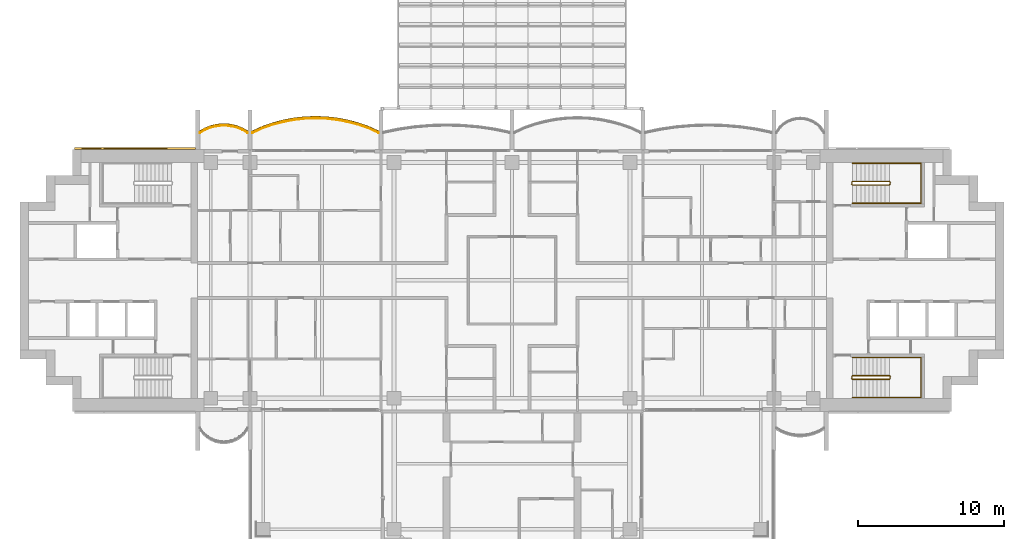
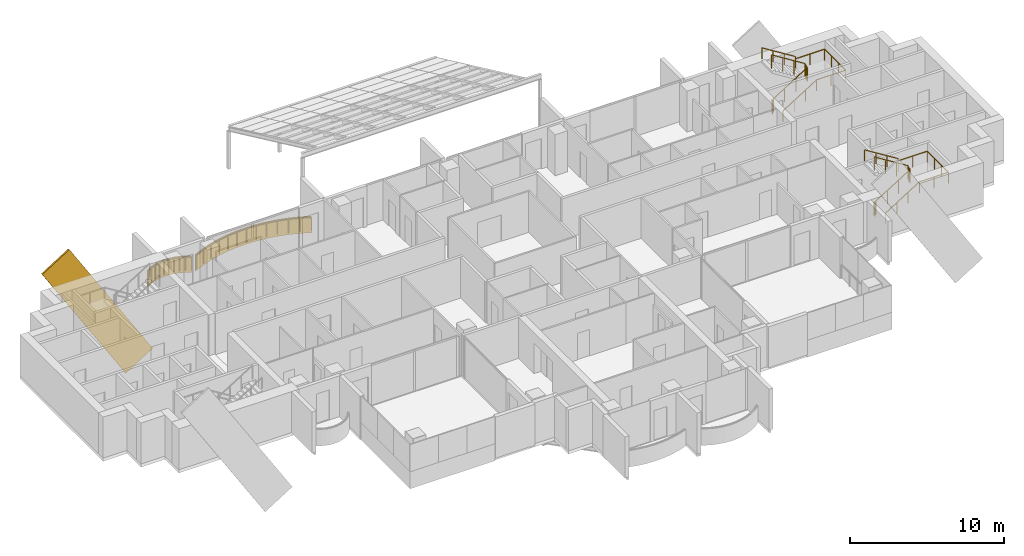
# One storey, part 19 of 20: 6 railings, 3 coverings.
"""IFC4 building model written with IfcOpenShell, lengths in metres."""

import ifcopenshell
import ifcopenshell.guid

model = None  # the IFC model being written
_history = None  # IfcOwnerHistory: only IFC2X3 demands one
_inside = {}  # id of a spatial element -> (the spatial element, [elements in it])
_under = {}  # id of a project, library or spatial element -> (it, [spatial elements below it])
_declared = {}  # id of a project -> (the project, [libraries it declares])
_typed = {}  # id of a type object -> (the type object, [elements of that type])
_made_of = {}  # id of a material, layer set ... -> (it, [elements and type objects made of it])


def new_model(schema):
    """Start an empty IFC model of exactly this schema.

    Asked for "IFC4X3", IfcOpenShell would pick the latest addendum, in which some entities
    have other attributes; the version numbers below select the first issue.
    IFC2X3 requires an IfcOwnerHistory on every rooted entity: one is made here for all.
    """
    global model, _history
    if schema == "IFC4X3":
        model = ifcopenshell.file(schema_version=(4, 3, 0, 0))
    else:
        model = ifcopenshell.file(schema=schema)
    _inside.clear()
    _under.clear()
    _declared.clear()
    _typed.clear()
    _made_of.clear()
    _history = None
    if model.schema == "IFC2X3":
        org = make("IfcOrganization", Name="unknown")
        user = make(
            "IfcPersonAndOrganization",
            ThePerson=make("IfcPerson", FamilyName="unknown"),
            TheOrganization=org,
        )
        app = make(
            "IfcApplication",
            ApplicationDeveloper=org,
            Version="unknown",
            ApplicationFullName="unknown",
            ApplicationIdentifier="unknown",
        )
        _history = make(
            "IfcOwnerHistory",
            OwningUser=user,
            OwningApplication=app,
            ChangeAction="ADDED",
            CreationDate=0,
        )
    return model


def make(cls, **values):
    """One entity of the class cls with the attributes given. An attribute that is None is left unset."""
    return model.create_entity(
        cls, **{name: value for name, value in values.items() if value is not None}
    )


def rooted(cls, **values):
    """An entity with a GlobalId (a new one), such as an element, a storey or a relation."""
    return make(cls, GlobalId=ifcopenshell.guid.new(), OwnerHistory=_history, **values)


def si_unit(unit_type, name, prefix=None):
    """IfcSIUnit, for example si_unit("LENGTHUNIT", "METRE", prefix="MILLI")."""
    return make("IfcSIUnit", UnitType=unit_type, Prefix=prefix, Name=name)


def assignment(units):
    """IfcUnitAssignment: the units of a project."""
    return None if units is None else make("IfcUnitAssignment", Units=units)


def point(xyz):
    """IfcCartesianPoint."""
    return None if xyz is None else make("IfcCartesianPoint", Coordinates=xyz)


def direction(xyz):
    """IfcDirection."""
    return None if xyz is None else make("IfcDirection", DirectionRatios=xyz)


def frame(location, z_axis=None, x_axis=None):
    """IfcAxis2Placement3D, a coordinate frame: its origin and axes. An axis left out is left unset."""
    return make(
        "IfcAxis2Placement3D",
        Location=point(location),
        Axis=direction(z_axis),
        RefDirection=direction(x_axis),
    )


def frame_2d(location, x_axis=None):
    """IfcAxis2Placement2D, a coordinate frame in the plane: its origin and x axis."""
    return make(
        "IfcAxis2Placement2D", Location=point(location), RefDirection=direction(x_axis)
    )


def origin():
    """The frame at (0, 0, 0) with its axes left unset."""
    return frame((0.0, 0.0, 0.0))


def origin_2d():
    """The frame at (0, 0) in the plane with its x axis left unset."""
    return frame_2d((0.0, 0.0))


def place(relative_to, where):
    """IfcLocalPlacement: puts the frame where relative to a parent placement (None: the world)."""
    return make(
        "IfcLocalPlacement", PlacementRelTo=relative_to, RelativePlacement=where
    )


def context(
    kind, dimensions, precision=None, world=None, true_north=None, identifier=None
):
    """IfcGeometricRepresentationContext, for example the 3D "Model" context."""
    return make(
        "IfcGeometricRepresentationContext",
        ContextIdentifier=identifier,
        ContextType=kind,
        CoordinateSpaceDimension=dimensions,
        Precision=precision,
        WorldCoordinateSystem=world,
        TrueNorth=true_north,
    )


def subcontext(parent, identifier, kind, view, scale=None):
    """IfcGeometricRepresentationSubContext, for example "Body" below "Model"."""
    return make(
        "IfcGeometricRepresentationSubContext",
        ContextIdentifier=identifier,
        ContextType=kind,
        ParentContext=parent,
        TargetScale=scale,
        TargetView=view,
    )


def project(units=None, contexts=None):
    """IfcProject with its units and contexts."""
    return rooted(
        "IfcProject",
        Name="project",
        RepresentationContexts=contexts,
        UnitsInContext=assignment(units),
    )


def spatial(cls, under=None, at=None, **own):
    """A site, building, storey or space (cls), placed at a placement, below another one or the project."""
    s = rooted(cls, ObjectPlacement=at, **own)
    if under is not None:
        _under.setdefault(under.id(), (under, []))[1].append(s)
    return s


def polyline(points):
    """IfcPolyline through the points."""
    return make("IfcPolyline", Points=[point(p) for p in points])


def profile(cls, at=None, kind="AREA", **sizes):
    """A parametric profile (cls). Its sizes go by their IFC names, for example OverallWidth=200.0."""
    return make(cls, ProfileType=kind, Position=at, **sizes)


def rectangle(**sizes):
    """IfcRectangleProfileDef."""
    return profile("IfcRectangleProfileDef", **sizes)


def outline(outer, holes=None, kind="AREA"):
    """IfcArbitraryClosedProfileDef: a profile drawn as a closed curve; with holes, ...WithVoids."""
    if holes is None:
        return make("IfcArbitraryClosedProfileDef", ProfileType=kind, OuterCurve=outer)
    return make(
        "IfcArbitraryProfileDefWithVoids",
        ProfileType=kind,
        OuterCurve=outer,
        InnerCurves=holes,
    )


def extrude(swept, where, along, depth):
    """IfcExtrudedAreaSolid: the profile swept, set in the frame where, extruded along a direction by depth."""
    return make(
        "IfcExtrudedAreaSolid",
        SweptArea=swept,
        Position=where,
        ExtrudedDirection=direction(along),
        Depth=depth,
    )


def shape(context_of_items, identifier, shape_type, items):
    """IfcShapeRepresentation: the items that make up one representation, for example the "Body"."""
    return make(
        "IfcShapeRepresentation",
        ContextOfItems=context_of_items,
        RepresentationIdentifier=identifier,
        RepresentationType=shape_type,
        Items=items,
    )


def material(Name=None, Category=None):
    """IfcMaterial."""
    return make("IfcMaterial", Name=Name, Category=Category)


def layer(
    of_material, thickness, ventilated=None, Name=None, Category=None, Priority=None
):
    """IfcMaterialLayer: one layer of a wall or slab, of a material (None: an air gap)."""
    return make(
        "IfcMaterialLayer",
        Material=of_material,
        LayerThickness=thickness,
        IsVentilated=ventilated,
        Name=Name,
        Category=Category,
        Priority=Priority,
    )


def layer_set(layers, Name=None):
    """IfcMaterialLayerSet."""
    return make("IfcMaterialLayerSet", MaterialLayers=layers, LayerSetName=Name)


def material_profile(
    of_material, cross_section, Name=None, Category=None, Priority=None
):
    """IfcMaterialProfile: a cross section and its material."""
    return make(
        "IfcMaterialProfile",
        Name=Name,
        Material=of_material,
        Profile=cross_section,
        Priority=Priority,
        Category=Category,
    )


def profile_set(profiles, Name=None, composite=None):
    """IfcMaterialProfileSet."""
    return make(
        "IfcMaterialProfileSet",
        Name=Name,
        MaterialProfiles=profiles,
        CompositeProfile=composite,
    )


def made_of(thing, what):
    """Note that an element or type object is made of a material, layer set ...; save() writes the relation."""
    if what is not None:
        _made_of.setdefault(what.id(), (what, []))[1].append(thing)
    return thing


def type_object(cls, material=None, **own):
    """A type object (cls), such as IfcWallType, which elements share."""
    return made_of(rooted(cls, **own), material)


def element(
    cls,
    number,
    at=None,
    inside=None,
    cuts=None,
    type_object=None,
    material=None,
    context=None,
    identifier="Body",
    shape_type=None,
    held_by="IfcProductDefinitionShape",
    body=None,
    shapes=None,
    **own,
):
    """One element of the class cls, such as IfcWall. Its Tag is "e" and its number.

    at: its placement. inside: the storey or other place that contains it. cuts: it is an
    opening in that element (IfcRelVoidsElement). A single representation is given by context,
    identifier, shape_type and body (its items); several are given by shapes. held_by: the class
    of the entity that holds the representations. save() writes the other relations.
    """
    e = rooted(cls, Tag="e%d" % number, ObjectPlacement=at, **own)
    if body is not None:
        shapes = [shape(context, identifier, shape_type, body)]
    if shapes is not None:
        e.Representation = make(held_by, Representations=shapes)
    if inside is not None:
        _inside.setdefault(inside.id(), (inside, []))[1].append(e)
    if cuts is not None:
        rooted(
            "IfcRelVoidsElement", RelatingBuildingElement=cuts, RelatedOpeningElement=e
        )
    if type_object is not None:
        _typed.setdefault(type_object.id(), (type_object, []))[1].append(e)
    return made_of(e, material)


def aggregate(whole, parts):
    """IfcRelAggregates: a whole, such as a stair, and the parts it consists of."""
    return rooted("IfcRelAggregates", RelatingObject=whole, RelatedObjects=parts)


def save(model, path):
    """Write the relations noted so far, then the file.

    IfcRelAggregates (storeys below a building ...), IfcRelContainedInSpatialStructure (elements
    in a storey), IfcRelDefinesByType, IfcRelAssociatesMaterial and IfcRelDeclares: one each for
    every whole, place, type object, material and project.
    """
    for whole, parts in _under.values():
        aggregate(whole, parts)
    for where, things in _inside.values():
        rooted(
            "IfcRelContainedInSpatialStructure",
            RelatedElements=things,
            RelatingStructure=where,
        )
    for kind, things in _typed.values():
        rooted("IfcRelDefinesByType", RelatedObjects=things, RelatingType=kind)
    for what, things in _made_of.values():
        rooted("IfcRelAssociatesMaterial", RelatedObjects=things, RelatingMaterial=what)
    for by, libraries in _declared.values():
        rooted("IfcRelDeclares", RelatingContext=by, RelatedDefinitions=libraries)
    model.write(path)


model = new_model("IFC4")

# Units and contexts
model_context = context("Model", 3, precision=1e-05, world=origin(), true_north=direction((0.0, 1.0)))
body_context = subcontext(model_context, "Body", "Model", "MODEL_VIEW")
ifc_project = project(units=[si_unit("LENGTHUNIT", "METRE"), si_unit("AREAUNIT", "SQUARE_METRE"), si_unit("VOLUMEUNIT", "CUBIC_METRE"), si_unit("PLANEANGLEUNIT", "RADIAN"), si_unit("MASSUNIT", "GRAM", prefix="KILO")], contexts=[model_context])

# Site, building, storey
site_placement = place(None, origin())
site = spatial("IfcSite", under=ifc_project, at=site_placement, CompositionType="ELEMENT")
building_placement = place(site_placement, origin())
building = spatial("IfcBuilding", under=site, at=building_placement, Name="Perihelion Cross Residences", CompositionType="ELEMENT")
storey_placement = place(building_placement, frame((0.0, 0.0, 170.10009765625)))
storey = spatial("IfcBuildingStorey", under=building, at=storey_placement, Name="L41", CompositionType="ELEMENT", Elevation=170.10009765625)

# Coverings
ifc_material_1 = material(Name="Bronze anodised aluminium", Category="aluminium")
ifc_layer = layer(ifc_material_1, 0.070068359375)
ifc_layer_set = layer_set([ifc_layer], Name="Balcony fascia 1300")
covering_type_1 = type_object("IfcCoveringType", Name="Balcony fascia 1300", PredefinedType="CLADDING", material=ifc_layer_set)
covering_1_placement = place(storey_placement, frame((0.0, 0.0, -0.2001953125)))
element("IfcCovering", 1, at=covering_1_placement, inside=storey, type_object=covering_type_1, Name="Fascia BF1 L41 west side north bay 1", PredefinedType="CLADDING", context=body_context, shape_type="SweptSolid", body=[
    extrude(outline(polyline([(-9.849365234375, 10.582275390625), (-10.57958984375, 10.83544921875), (-11.309814453125, 11.028076171875), (-12.039794921875, 11.1630859375), (-12.77001953125, 11.243408203125), (-13.5, 11.27001953125), (-14.22998046875, 11.243408203125), (-14.960205078125, 11.1630859375), (-15.690185546875, 11.028076171875), (-16.42041015625, 10.83544921875), (-17.150634765625, 10.582275390625), (-17.85009765625, 10.2763671875), (-17.85009765625, 10.199951171875), (-17.125, 10.51708984375), (-16.39990234375, 10.7685546875), (-15.675048828125, 10.959716796875), (-14.949951171875, 11.093994140625), (-14.22509765625, 11.173583984375), (-13.5, 11.199951171875), (-12.77490234375, 11.173583984375), (-12.050048828125, 11.093994140625), (-11.324951171875, 10.959716796875), (-10.60009765625, 10.7685546875), (-9.875, 10.51708984375), (-9.14990234375, 10.199951171875), (-9.14990234375, 10.2763671875), (-9.849365234375, 10.582275390625)])), origin(), (0.0, 0.0, 1.0), 1.300048828125),
])
covering_2_placement = place(storey_placement, frame((0.0, 0.0, -0.2001953125)))
element("IfcCovering", 2, at=covering_2_placement, inside=storey, type_object=covering_type_1, Name="Fascia BF1 L41 west side north bay 2", PredefinedType="CLADDING", context=body_context, shape_type="SweptSolid", body=[
    extrude(outline(polyline([(-18.486328125, 10.4716796875), (-18.861572265625, 10.62158203125), (-19.237060546875, 10.717529296875), (-19.6123046875, 10.76416015625), (-19.987548828125, 10.76416015625), (-20.363037109375, 10.717529296875), (-20.73828125, 10.62158203125), (-21.11376953125, 10.4716796875), (-21.449951171875, 10.280517578125), (-21.449951171875, 10.199951171875), (-21.083251953125, 10.40869140625), (-20.716552734375, 10.55517578125), (-20.35009765625, 10.648681640625), (-19.9833984375, 10.6943359375), (-19.61669921875, 10.6943359375), (-19.25, 10.648681640625), (-18.88330078125, 10.55517578125), (-18.5166015625, 10.40869140625), (-18.14990234375, 10.199951171875), (-18.14990234375, 10.280517578125), (-18.486328125, 10.4716796875)])), origin(), (0.0, 0.0, 1.0), 1.300048828125),
])

# Railings
ifc_material_2 = material(Name="Bronze anodised aluminium", Category="aluminium")
railing_type_1 = type_object("IfcRailingType", Name="Balcony guard 1100", PredefinedType="GUARDRAIL", material=ifc_material_2)
railing_1_placement = place(storey_placement, frame((-9.175048828125, 10.139892578125, 0.0)))
element("IfcRailing", 3, at=railing_1_placement, inside=storey, type_object=railing_type_1, Name="Guard GU1 L41 west side north bay 1 balcony", PredefinedType="GUARDRAIL", context=body_context, shape_type="SweptSolid", body=[
    extrude(rectangle(XDim=0.048095703125, YDim=0.048095703125, at=origin_2d()), frame((0.0, 0.0, 1.076171875), z_axis=(-0.910866309087, 0.412701547089, 0.0), x_axis=(-0.412701547089, -0.910866309087, 0.0)), (0.0, 0.0, 1.0), 0.7685546875),
    extrude(rectangle(XDim=0.048095703125, YDim=0.048095703125, at=origin_2d()), frame((-0.699951171875, 0.317138671875, 1.076171875), z_axis=(-0.944796812452, 0.327656807012, 0.0), x_axis=(-0.327656807012, -0.944796812452, 0.0)), (0.0, 0.0, 1.0), 0.767578125),
    extrude(rectangle(XDim=0.048095703125, YDim=0.048095703125, at=origin_2d()), frame((-1.425048828125, 0.568603515625, 1.076171875), z_axis=(-0.966939404945, 0.255006249266, 0.0), x_axis=(-0.255006249266, -0.966939404945, 0.0)), (0.0, 0.0, 1.0), 0.749755859375),
    extrude(rectangle(XDim=0.048095703125, YDim=0.048095703125, at=origin_2d()), frame((-2.14990234375, 0.759765625, 1.076171875), z_axis=(-0.983282004984, 0.182089260182, 0.0), x_axis=(-0.182089260182, -0.983282004984, 0.0)), (0.0, 0.0, 1.0), 0.7373046875),
    extrude(rectangle(XDim=0.048095703125, YDim=0.048095703125, at=origin_2d()), frame((-2.875, 0.89404296875, 1.076171875), z_axis=(-0.994025805622, 0.109145305703, 0.0), x_axis=(-0.109145305703, -0.994025805622, 0.0)), (0.0, 0.0, 1.0), 0.729248046875),
    extrude(rectangle(XDim=0.048095703125, YDim=0.048095703125, at=origin_2d()), frame((-3.599853515625, 0.9736328125, 1.076171875), z_axis=(-0.999339497946, 0.036339618107, 0.0), x_axis=(-0.036339618107, -0.999339497946, 0.0)), (0.0, 0.0, 1.0), 0.7255859375),
    extrude(rectangle(XDim=0.048095703125, YDim=0.048095703125, at=origin_2d()), frame((-4.324951171875, 1.0, 1.076171875), z_axis=(-0.999339497946, -0.036339618107, 0.0), x_axis=(0.036339618107, -0.999339497946, 0.0)), (0.0, 0.0, 1.0), 0.7255859375),
    extrude(rectangle(XDim=0.048095703125, YDim=0.048095703125, at=origin_2d()), frame((-5.050048828125, 0.9736328125, 1.076171875), z_axis=(-0.994025805622, -0.109145305703, 0.0), x_axis=(0.109145305703, -0.994025805622, 0.0)), (0.0, 0.0, 1.0), 0.729248046875),
    extrude(rectangle(XDim=0.048095703125, YDim=0.048095703125, at=origin_2d()), frame((-5.77490234375, 0.89404296875, 1.076171875), z_axis=(-0.983282004984, -0.182089260182, 0.0), x_axis=(0.182089260182, -0.983282004984, 0.0)), (0.0, 0.0, 1.0), 0.7373046875),
    extrude(rectangle(XDim=0.048095703125, YDim=0.048095703125, at=origin_2d()), frame((-6.5, 0.759765625, 1.076171875), z_axis=(-0.966939404945, -0.255006249266, 0.0), x_axis=(0.255006249266, -0.966939404945, 0.0)), (0.0, 0.0, 1.0), 0.749755859375),
    extrude(rectangle(XDim=0.048095703125, YDim=0.048095703125, at=origin_2d()), frame((-7.224853515625, 0.568603515625, 1.076171875), z_axis=(-0.944796812452, -0.327656807012, 0.0), x_axis=(0.327656807012, -0.944796812452, 0.0)), (0.0, 0.0, 1.0), 0.767578125),
    extrude(rectangle(XDim=0.048095703125, YDim=0.048095703125, at=origin_2d()), frame((-7.949951171875, 0.317138671875, 1.076171875), z_axis=(-0.910866309087, -0.412701547089, 0.0), x_axis=(0.412701547089, -0.910866309087, 0.0)), (0.0, 0.0, 1.0), 0.7685546875),
    extrude(rectangle(XDim=0.0419921875, YDim=0.0419921875, at=origin_2d()), origin(), (0.0, 0.0, 1.0), 1.052001953125),
    extrude(rectangle(XDim=0.0419921875, YDim=0.0419921875, at=origin_2d()), frame((-0.699951171875, 0.317138671875, 0.0)), (0.0, 0.0, 1.0), 1.052001953125),
    extrude(rectangle(XDim=0.0419921875, YDim=0.0419921875, at=origin_2d()), frame((-1.425048828125, 0.568603515625, 0.0)), (0.0, 0.0, 1.0), 1.052001953125),
    extrude(rectangle(XDim=0.0419921875, YDim=0.0419921875, at=origin_2d()), frame((-2.14990234375, 0.759765625, 0.0)), (0.0, 0.0, 1.0), 1.052001953125),
    extrude(rectangle(XDim=0.0419921875, YDim=0.0419921875, at=origin_2d()), frame((-2.875, 0.89404296875, 0.0)), (0.0, 0.0, 1.0), 1.052001953125),
    extrude(rectangle(XDim=0.0419921875, YDim=0.0419921875, at=origin_2d()), frame((-3.599853515625, 0.9736328125, 0.0)), (0.0, 0.0, 1.0), 1.052001953125),
    extrude(rectangle(XDim=0.0419921875, YDim=0.0419921875, at=origin_2d()), frame((-4.324951171875, 1.0, 0.0)), (0.0, 0.0, 1.0), 1.052001953125),
    extrude(rectangle(XDim=0.0419921875, YDim=0.0419921875, at=origin_2d()), frame((-5.050048828125, 0.9736328125, 0.0)), (0.0, 0.0, 1.0), 1.052001953125),
    extrude(rectangle(XDim=0.0419921875, YDim=0.0419921875, at=origin_2d()), frame((-5.77490234375, 0.89404296875, 0.0)), (0.0, 0.0, 1.0), 1.052001953125),
    extrude(rectangle(XDim=0.0419921875, YDim=0.0419921875, at=origin_2d()), frame((-6.5, 0.759765625, 0.0)), (0.0, 0.0, 1.0), 1.052001953125),
    extrude(rectangle(XDim=0.0419921875, YDim=0.0419921875, at=origin_2d()), frame((-7.224853515625, 0.568603515625, 0.0)), (0.0, 0.0, 1.0), 1.052001953125),
    extrude(rectangle(XDim=0.0419921875, YDim=0.0419921875, at=origin_2d()), frame((-7.949951171875, 0.317138671875, 0.0)), (0.0, 0.0, 1.0), 1.052001953125),
    extrude(rectangle(XDim=0.0419921875, YDim=0.0419921875, at=origin_2d()), frame((-8.64990234375, 0.0, 0.0)), (0.0, 0.0, 1.0), 1.052001953125),
])
railing_2_placement = place(storey_placement, frame((-18.175048828125, 10.139892578125, 0.0)))
element("IfcRailing", 4, at=railing_2_placement, inside=storey, type_object=railing_type_1, Name="Guard GU1 L41 west side north bay 2 balcony", PredefinedType="GUARDRAIL", context=body_context, shape_type="SweptSolid", body=[
    extrude(rectangle(XDim=0.048095703125, YDim=0.048095703125, at=origin_2d()), frame((0.0, 0.0, 1.076171875), z_axis=(-0.853266756821, 0.52147467983, 0.0), x_axis=(-0.52147467983, -0.853266756821, 0.0)), (0.0, 0.0, 1.0), 0.400390625),
    extrude(rectangle(XDim=0.048095703125, YDim=0.048095703125, at=origin_2d()), frame((-0.341552734375, 0.208740234375, 1.076171875), z_axis=(-0.928647151248, 0.37096424151, 0.0), x_axis=(-0.37096424151, -0.928647151248, 0.0)), (0.0, 0.0, 1.0), 0.394775390625),
    extrude(rectangle(XDim=0.048095703125, YDim=0.048095703125, at=origin_2d()), frame((-0.708251953125, 0.355224609375, 1.076171875), z_axis=(-0.968993337782, 0.247086849781, 0.0), x_axis=(-0.247086849781, -0.968993337782, 0.0)), (0.0, 0.0, 1.0), 0.37841796875),
    extrude(rectangle(XDim=0.048095703125, YDim=0.048095703125, at=origin_2d()), frame((-1.074951171875, 0.44873046875, 1.076171875), z_axis=(-0.992338742457, 0.123546834114, 0.0), x_axis=(-0.123546834114, -0.992338742457, 0.0)), (0.0, 0.0, 1.0), 0.36962890625),
    extrude(rectangle(XDim=0.048095703125, YDim=0.048095703125, at=origin_2d()), frame((-1.441650390625, 0.494384765625, 1.076171875), z_axis=(-1.0, 0.0, 0.0), x_axis=(0.0, -1.0, 0.0)), (0.0, 0.0, 1.0), 0.36669921875),
    extrude(rectangle(XDim=0.048095703125, YDim=0.048095703125, at=origin_2d()), frame((-1.808349609375, 0.494384765625, 1.076171875), z_axis=(-0.992338742457, -0.123546834114, 0.0), x_axis=(0.123546834114, -0.992338742457, 0.0)), (0.0, 0.0, 1.0), 0.36962890625),
    extrude(rectangle(XDim=0.048095703125, YDim=0.048095703125, at=origin_2d()), frame((-2.175048828125, 0.44873046875, 1.076171875), z_axis=(-0.968953914071, -0.247241405123, 0.0), x_axis=(0.247241405123, -0.968953914071, 0.0)), (0.0, 0.0, 1.0), 0.378173828125),
    extrude(rectangle(XDim=0.048095703125, YDim=0.048095703125, at=origin_2d()), frame((-2.54150390625, 0.355224609375, 1.076171875), z_axis=(-0.928647151248, -0.37096424151, 0.0), x_axis=(0.37096424151, -0.928647151248, 0.0)), (0.0, 0.0, 1.0), 0.394775390625),
    extrude(rectangle(XDim=0.048095703125, YDim=0.048095703125, at=origin_2d()), frame((-2.908203125, 0.208740234375, 1.076171875), z_axis=(-0.853432484338, -0.521203410078, 0.0), x_axis=(0.521203410078, -0.853432484338, 0.0)), (0.0, 0.0, 1.0), 0.400390625),
    extrude(rectangle(XDim=0.0419921875, YDim=0.0419921875, at=origin_2d()), origin(), (0.0, 0.0, 1.0), 1.052001953125),
    extrude(rectangle(XDim=0.0419921875, YDim=0.0419921875, at=origin_2d()), frame((-0.341552734375, 0.208740234375, 0.0)), (0.0, 0.0, 1.0), 1.052001953125),
    extrude(rectangle(XDim=0.0419921875, YDim=0.0419921875, at=origin_2d()), frame((-0.708251953125, 0.355224609375, 0.0)), (0.0, 0.0, 1.0), 1.052001953125),
    extrude(rectangle(XDim=0.0419921875, YDim=0.0419921875, at=origin_2d()), frame((-1.074951171875, 0.44873046875, 0.0)), (0.0, 0.0, 1.0), 1.052001953125),
    extrude(rectangle(XDim=0.0419921875, YDim=0.0419921875, at=origin_2d()), frame((-1.441650390625, 0.494384765625, 0.0)), (0.0, 0.0, 1.0), 1.052001953125),
    extrude(rectangle(XDim=0.0419921875, YDim=0.0419921875, at=origin_2d()), frame((-1.808349609375, 0.494384765625, 0.0)), (0.0, 0.0, 1.0), 1.052001953125),
    extrude(rectangle(XDim=0.0419921875, YDim=0.0419921875, at=origin_2d()), frame((-2.175048828125, 0.44873046875, 0.0)), (0.0, 0.0, 1.0), 1.052001953125),
    extrude(rectangle(XDim=0.0419921875, YDim=0.0419921875, at=origin_2d()), frame((-2.54150390625, 0.355224609375, 0.0)), (0.0, 0.0, 1.0), 1.052001953125),
    extrude(rectangle(XDim=0.0419921875, YDim=0.0419921875, at=origin_2d()), frame((-2.908203125, 0.208740234375, 0.0)), (0.0, 0.0, 1.0), 1.052001953125),
    extrude(rectangle(XDim=0.0419921875, YDim=0.0419921875, at=origin_2d()), frame((-3.25, 0.0, 0.0)), (0.0, 0.0, 1.0), 1.052001953125),
])

# Covering
ifc_material_3 = material(Name="Bronze anodised aluminium", Category="aluminium")
ifc_material_profile = material_profile(ifc_material_3, rectangle(XDim=0.125, YDim=2.39990234375, at=origin_2d()), Name="Bronze cladding band 2400")
ifc_profile_set = profile_set([ifc_material_profile], Name="Bronze anodised aluminium")
covering_type_2 = type_object("IfcCoveringType", Name="Bronze cladding band 2400", PredefinedType="CLADDING", material=ifc_profile_set)
covering_3_placement = place(storey_placement, frame((-22.767578125, 9.0625, -4.863525390625), z_axis=(-0.529915403603, 0.0, 0.848050508534), x_axis=(0.0, -1.0, 0.0)))
element("IfcCovering", 5, at=covering_3_placement, inside=storey, type_object=covering_type_2, Name="Core cladding band, west core", PredefinedType="CLADDING", context=body_context, shape_type="SweptSolid", body=[
    extrude(rectangle(XDim=0.125, YDim=2.39990234375, at=origin_2d()), origin(), (0.0, 0.0, 1.0), 11.822021484375),
])

# Railings
ifc_material_4 = material(Name="Stainless steel", Category="steel")
railing_type_2 = type_object("IfcRailingType", Name="Stair guard 1100", PredefinedType="GUARDRAIL", material=ifc_material_4)
railing_3_placement = place(storey_placement, frame((23.35009765625, 6.75, 0.0)))
element("IfcRailing", 6, at=railing_3_placement, inside=storey, type_object=railing_type_2, Name="L41 ST-E1 stair guard 1", PredefinedType="GUARDRAIL", context=body_context, shape_type="SweptSolid", body=[
    extrude(rectangle(XDim=0.048095703125, YDim=0.048095703125, at=origin_2d()), frame((0.0, 0.0, 1.076171875), z_axis=(0.0, -1.0, 0.0), x_axis=(1.0, 0.0, 0.0)), (0.0, 0.0, 1.0), 0.14990234375),
    extrude(rectangle(XDim=0.048095703125, YDim=0.048095703125, at=origin_2d()), frame((0.0, -0.14990234375, 1.076171875), z_axis=(0.264179342666, -0.265474339444, 0.927217692888), x_axis=(0.708833529934, 0.705375805398, 0.0)), (0.0, 0.0, 1.0), 0.1884765625),
    extrude(rectangle(XDim=0.048095703125, YDim=0.048095703125, at=origin_2d()), frame((0.0498046875, -0.199951171875, 1.2509765625), z_axis=(0.847970611238, 0.0, 0.530043245855), x_axis=(0.0, 1.0, 0.0)), (0.0, 0.0, 1.0), 2.971923828125),
    extrude(rectangle(XDim=0.048095703125, YDim=0.048095703125, at=origin_2d()), frame((2.56982421875, -0.199951171875, 2.826171875), z_axis=(0.707106781187, 0.707106781187, 0.0), x_axis=(-0.707106781187, 0.707106781187, 0.0)), (0.0, 0.0, 1.0), 0.07080078125),
    extrude(rectangle(XDim=0.048095703125, YDim=0.048095703125, at=origin_2d()), frame((2.619873046875, -0.14990234375, 2.826171875), z_axis=(0.0, 1.0, 0.0), x_axis=(-1.0, 0.0, 0.0)), (0.0, 0.0, 1.0), 0.14990234375),
    extrude(rectangle(XDim=0.048095703125, YDim=0.048095703125, at=origin_2d()), frame((2.619873046875, 0.0, 2.826171875), z_axis=(-0.265383341853, 0.265383341853, 0.926899867156), x_axis=(-0.707106781187, -0.707106781187, 0.0)), (0.0, 0.0, 1.0), 0.1884765625),
    extrude(rectangle(XDim=0.048095703125, YDim=0.048095703125, at=origin_2d()), frame((2.56982421875, 0.050048828125, 3.0009765625), z_axis=(-0.847970611238, 0.0, 0.530043245855), x_axis=(0.0, -1.0, 0.0)), (0.0, 0.0, 1.0), 2.971923828125),
    extrude(rectangle(XDim=0.0419921875, YDim=0.0419921875, at=origin_2d()), origin(), (0.0, 0.0, 1.0), 1.052001953125),
    extrude(rectangle(XDim=0.0419921875, YDim=0.0419921875, at=origin_2d()), frame((0.0, -0.14990234375, 0.0)), (0.0, 0.0, 1.0), 1.052001953125),
    extrude(rectangle(XDim=0.0419921875, YDim=0.0419921875, at=origin_2d()), frame((0.0498046875, -0.199951171875, 0.1748046875)), (0.0, 0.0, 1.0), 1.052001953125),
    extrude(rectangle(XDim=0.0419921875, YDim=0.0419921875, at=origin_2d()), frame((0.889892578125, -0.199951171875, 0.699951171875)), (0.0, 0.0, 1.0), 1.052001953125),
    extrude(rectangle(XDim=0.0419921875, YDim=0.0419921875, at=origin_2d()), frame((1.729736328125, -0.199951171875, 1.224853515625)), (0.0, 0.0, 1.0), 1.052001953125),
    extrude(rectangle(XDim=0.0419921875, YDim=0.0419921875, at=origin_2d()), frame((2.56982421875, -0.199951171875, 1.75)), (0.0, 0.0, 1.0), 1.052001953125),
    extrude(rectangle(XDim=0.0419921875, YDim=0.0419921875, at=origin_2d()), frame((2.619873046875, -0.14990234375, 1.75)), (0.0, 0.0, 1.0), 1.052001953125),
    extrude(rectangle(XDim=0.0419921875, YDim=0.0419921875, at=origin_2d()), frame((2.619873046875, 0.0, 1.75)), (0.0, 0.0, 1.0), 1.052001953125),
    extrude(rectangle(XDim=0.0419921875, YDim=0.0419921875, at=origin_2d()), frame((2.56982421875, 0.050048828125, 1.9248046875)), (0.0, 0.0, 1.0), 1.052001953125),
    extrude(rectangle(XDim=0.0419921875, YDim=0.0419921875, at=origin_2d()), frame((1.729736328125, 0.050048828125, 2.449951171875)), (0.0, 0.0, 1.0), 1.052001953125),
    extrude(rectangle(XDim=0.0419921875, YDim=0.0419921875, at=origin_2d()), frame((0.889892578125, 0.050048828125, 2.974853515625)), (0.0, 0.0, 1.0), 1.052001953125),
    extrude(rectangle(XDim=0.0419921875, YDim=0.0419921875, at=origin_2d()), frame((0.0498046875, 0.050048828125, 3.5)), (0.0, 0.0, 1.0), 1.052001953125),
])
railing_4_placement = place(storey_placement, frame((23.35009765625, -6.60009765625, 0.0)))
element("IfcRailing", 7, at=railing_4_placement, inside=storey, type_object=railing_type_2, Name="L41 ST-E2 stair guard 1", PredefinedType="GUARDRAIL", context=body_context, shape_type="SweptSolid", body=[
    extrude(rectangle(XDim=0.048095703125, YDim=0.048095703125, at=origin_2d()), frame((0.0, 0.0, 1.076171875), z_axis=(0.0, -1.0, 0.0), x_axis=(1.0, 0.0, 0.0)), (0.0, 0.0, 1.0), 0.14990234375),
    extrude(rectangle(XDim=0.048095703125, YDim=0.048095703125, at=origin_2d()), frame((0.0, -0.14990234375, 1.076171875), z_axis=(0.264179342666, -0.265474339444, 0.927217692888), x_axis=(0.708833529934, 0.705375805398, 0.0)), (0.0, 0.0, 1.0), 0.1884765625),
    extrude(rectangle(XDim=0.048095703125, YDim=0.048095703125, at=origin_2d()), frame((0.0498046875, -0.199951171875, 1.2509765625), z_axis=(0.847970611238, 0.0, 0.530043245855), x_axis=(0.0, 1.0, 0.0)), (0.0, 0.0, 1.0), 2.971923828125),
    extrude(rectangle(XDim=0.048095703125, YDim=0.048095703125, at=origin_2d()), frame((2.56982421875, -0.199951171875, 2.826171875), z_axis=(0.707106781187, 0.707106781187, 0.0), x_axis=(-0.707106781187, 0.707106781187, 0.0)), (0.0, 0.0, 1.0), 0.07080078125),
    extrude(rectangle(XDim=0.048095703125, YDim=0.048095703125, at=origin_2d()), frame((2.619873046875, -0.14990234375, 2.826171875), z_axis=(0.0, 1.0, 0.0), x_axis=(-1.0, 0.0, 0.0)), (0.0, 0.0, 1.0), 0.14990234375),
    extrude(rectangle(XDim=0.048095703125, YDim=0.048095703125, at=origin_2d()), frame((2.619873046875, 0.0, 2.826171875), z_axis=(-0.265383341853, 0.265383341853, 0.926899867156), x_axis=(-0.707106781187, -0.707106781187, 0.0)), (0.0, 0.0, 1.0), 0.1884765625),
    extrude(rectangle(XDim=0.048095703125, YDim=0.048095703125, at=origin_2d()), frame((2.56982421875, 0.050048828125, 3.0009765625), z_axis=(-0.847970611238, 0.0, 0.530043245855), x_axis=(0.0, -1.0, 0.0)), (0.0, 0.0, 1.0), 2.971923828125),
    extrude(rectangle(XDim=0.0419921875, YDim=0.0419921875, at=origin_2d()), origin(), (0.0, 0.0, 1.0), 1.052001953125),
    extrude(rectangle(XDim=0.0419921875, YDim=0.0419921875, at=origin_2d()), frame((0.0, -0.14990234375, 0.0)), (0.0, 0.0, 1.0), 1.052001953125),
    extrude(rectangle(XDim=0.0419921875, YDim=0.0419921875, at=origin_2d()), frame((0.0498046875, -0.199951171875, 0.1748046875)), (0.0, 0.0, 1.0), 1.052001953125),
    extrude(rectangle(XDim=0.0419921875, YDim=0.0419921875, at=origin_2d()), frame((0.889892578125, -0.199951171875, 0.699951171875)), (0.0, 0.0, 1.0), 1.052001953125),
    extrude(rectangle(XDim=0.0419921875, YDim=0.0419921875, at=origin_2d()), frame((1.729736328125, -0.199951171875, 1.224853515625)), (0.0, 0.0, 1.0), 1.052001953125),
    extrude(rectangle(XDim=0.0419921875, YDim=0.0419921875, at=origin_2d()), frame((2.56982421875, -0.199951171875, 1.75)), (0.0, 0.0, 1.0), 1.052001953125),
    extrude(rectangle(XDim=0.0419921875, YDim=0.0419921875, at=origin_2d()), frame((2.619873046875, -0.14990234375, 1.75)), (0.0, 0.0, 1.0), 1.052001953125),
    extrude(rectangle(XDim=0.0419921875, YDim=0.0419921875, at=origin_2d()), frame((2.619873046875, 0.0, 1.75)), (0.0, 0.0, 1.0), 1.052001953125),
    extrude(rectangle(XDim=0.0419921875, YDim=0.0419921875, at=origin_2d()), frame((2.56982421875, 0.050048828125, 1.9248046875)), (0.0, 0.0, 1.0), 1.052001953125),
    extrude(rectangle(XDim=0.0419921875, YDim=0.0419921875, at=origin_2d()), frame((1.729736328125, 0.050048828125, 2.449951171875)), (0.0, 0.0, 1.0), 1.052001953125),
    extrude(rectangle(XDim=0.0419921875, YDim=0.0419921875, at=origin_2d()), frame((0.889892578125, 0.050048828125, 2.974853515625)), (0.0, 0.0, 1.0), 1.052001953125),
    extrude(rectangle(XDim=0.0419921875, YDim=0.0419921875, at=origin_2d()), frame((0.0498046875, 0.050048828125, 3.5)), (0.0, 0.0, 1.0), 1.052001953125),
])
ifc_material_5 = material(Name="Stainless steel", Category="steel")
railing_type_3 = type_object("IfcRailingType", Name="Stair handrail 900", PredefinedType="HANDRAIL", material=ifc_material_5)
railing_5_placement = place(storey_placement, frame((23.39990234375, 5.300048828125, 0.1748046875)))
element("IfcRailing", 8, at=railing_5_placement, inside=storey, type_object=railing_type_3, Name="L41 ST-E1 stair handrail 1", PredefinedType="HANDRAIL", context=body_context, shape_type="SweptSolid", body=[
    extrude(rectangle(XDim=0.048095703125, YDim=0.048095703125, at=origin_2d()), frame((0.0, 0.0, 0.8759765625), z_axis=(0.847970611238, 0.0, 0.530043245855), x_axis=(0.0, 1.0, 0.0)), (0.0, 0.0, 1.0), 2.971923828125),
    extrude(rectangle(XDim=0.048095703125, YDim=0.048095703125, at=origin_2d()), frame((2.52001953125, 0.0, 2.451171875), z_axis=(1.0, 0.0, 0.0), x_axis=(0.0, 1.0, 0.0)), (0.0, 0.0, 1.0), 2.18017578125),
    extrude(rectangle(XDim=0.048095703125, YDim=0.048095703125, at=origin_2d()), frame((4.7001953125, 0.0, 2.451171875), z_axis=(0.0, 1.0, 0.0), x_axis=(-1.0, 0.0, 0.0)), (0.0, 0.0, 1.0), 2.75),
    extrude(rectangle(XDim=0.048095703125, YDim=0.048095703125, at=origin_2d()), frame((4.7001953125, 2.75, 2.451171875), z_axis=(-1.0, 0.0, 0.0), x_axis=(0.0, -1.0, 0.0)), (0.0, 0.0, 1.0), 2.18017578125),
    extrude(rectangle(XDim=0.048095703125, YDim=0.048095703125, at=origin_2d()), frame((2.52001953125, 2.75, 2.451171875), z_axis=(0.0, 0.0, 1.0), x_axis=(1.0, 0.0, 0.0)), (0.0, 0.0, 1.0), 0.1748046875),
    extrude(rectangle(XDim=0.048095703125, YDim=0.048095703125, at=origin_2d()), frame((2.52001953125, 2.75, 2.6259765625), z_axis=(-0.847970611238, 0.0, 0.530043245855), x_axis=(0.0, -1.0, 0.0)), (0.0, 0.0, 1.0), 2.971923828125),
    extrude(rectangle(XDim=0.0419921875, YDim=0.0419921875, at=origin_2d()), origin(), (0.0, 0.0, 1.0), 0.851806640625),
    extrude(rectangle(XDim=0.0419921875, YDim=0.0419921875, at=origin_2d()), frame((0.840087890625, 0.0, 0.525146484375)), (0.0, 0.0, 1.0), 0.851806640625),
    extrude(rectangle(XDim=0.0419921875, YDim=0.0419921875, at=origin_2d()), frame((1.679931640625, 0.0, 1.050048828125)), (0.0, 0.0, 1.0), 0.851806640625),
    extrude(rectangle(XDim=0.0419921875, YDim=0.0419921875, at=origin_2d()), frame((2.52001953125, 0.0, 1.5751953125)), (0.0, 0.0, 1.0), 0.851806640625),
    extrude(rectangle(XDim=0.0419921875, YDim=0.0419921875, at=origin_2d()), frame((3.610107421875, 0.0, 1.5751953125)), (0.0, 0.0, 1.0), 0.851806640625),
    extrude(rectangle(XDim=0.0419921875, YDim=0.0419921875, at=origin_2d()), frame((4.7001953125, 0.0, 1.5751953125)), (0.0, 0.0, 1.0), 0.851806640625),
    extrude(rectangle(XDim=0.0419921875, YDim=0.0419921875, at=origin_2d()), frame((4.7001953125, 0.916748046875, 1.5751953125)), (0.0, 0.0, 1.0), 0.851806640625),
    extrude(rectangle(XDim=0.0419921875, YDim=0.0419921875, at=origin_2d()), frame((4.7001953125, 1.833251953125, 1.5751953125)), (0.0, 0.0, 1.0), 0.851806640625),
    extrude(rectangle(XDim=0.0419921875, YDim=0.0419921875, at=origin_2d()), frame((4.7001953125, 2.75, 1.5751953125)), (0.0, 0.0, 1.0), 0.851806640625),
    extrude(rectangle(XDim=0.0419921875, YDim=0.0419921875, at=origin_2d()), frame((3.610107421875, 2.75, 1.5751953125)), (0.0, 0.0, 1.0), 0.851806640625),
    extrude(rectangle(XDim=0.0419921875, YDim=0.0419921875, at=origin_2d()), frame((2.52001953125, 2.75, 1.5751953125)), (0.0, 0.0, 1.0), 0.851806640625),
    extrude(rectangle(XDim=0.0419921875, YDim=0.0419921875, at=origin_2d()), frame((2.52001953125, 2.75, 1.75)), (0.0, 0.0, 1.0), 0.851806640625),
    extrude(rectangle(XDim=0.0419921875, YDim=0.0419921875, at=origin_2d()), frame((1.679931640625, 2.75, 2.275146484375)), (0.0, 0.0, 1.0), 0.851806640625),
    extrude(rectangle(XDim=0.0419921875, YDim=0.0419921875, at=origin_2d()), frame((0.840087890625, 2.75, 2.800048828125)), (0.0, 0.0, 1.0), 0.851806640625),
    extrude(rectangle(XDim=0.0419921875, YDim=0.0419921875, at=origin_2d()), frame((0.0, 2.75, 3.3251953125)), (0.0, 0.0, 1.0), 0.851806640625),
])
railing_6_placement = place(storey_placement, frame((23.39990234375, -8.050048828125, 0.1748046875)))
element("IfcRailing", 9, at=railing_6_placement, inside=storey, type_object=railing_type_3, Name="L41 ST-E2 stair handrail 1", PredefinedType="HANDRAIL", context=body_context, shape_type="SweptSolid", body=[
    extrude(rectangle(XDim=0.048095703125, YDim=0.048095703125, at=origin_2d()), frame((0.0, 0.0, 0.8759765625), z_axis=(0.847970611238, 0.0, 0.530043245855), x_axis=(0.0, 1.0, 0.0)), (0.0, 0.0, 1.0), 2.971923828125),
    extrude(rectangle(XDim=0.048095703125, YDim=0.048095703125, at=origin_2d()), frame((2.52001953125, 0.0, 2.451171875), z_axis=(1.0, 0.0, 0.0), x_axis=(0.0, 1.0, 0.0)), (0.0, 0.0, 1.0), 2.18017578125),
    extrude(rectangle(XDim=0.048095703125, YDim=0.048095703125, at=origin_2d()), frame((4.7001953125, 0.0, 2.451171875), z_axis=(0.0, 1.0, 0.0), x_axis=(-1.0, 0.0, 0.0)), (0.0, 0.0, 1.0), 2.75),
    extrude(rectangle(XDim=0.048095703125, YDim=0.048095703125, at=origin_2d()), frame((4.7001953125, 2.75, 2.451171875), z_axis=(-1.0, 0.0, 0.0), x_axis=(0.0, -1.0, 0.0)), (0.0, 0.0, 1.0), 2.18017578125),
    extrude(rectangle(XDim=0.048095703125, YDim=0.048095703125, at=origin_2d()), frame((2.52001953125, 2.75, 2.451171875), z_axis=(0.0, 0.0, 1.0), x_axis=(1.0, 0.0, 0.0)), (0.0, 0.0, 1.0), 0.1748046875),
    extrude(rectangle(XDim=0.048095703125, YDim=0.048095703125, at=origin_2d()), frame((2.52001953125, 2.75, 2.6259765625), z_axis=(-0.847970611238, 0.0, 0.530043245855), x_axis=(0.0, -1.0, 0.0)), (0.0, 0.0, 1.0), 2.971923828125),
    extrude(rectangle(XDim=0.0419921875, YDim=0.0419921875, at=origin_2d()), origin(), (0.0, 0.0, 1.0), 0.851806640625),
    extrude(rectangle(XDim=0.0419921875, YDim=0.0419921875, at=origin_2d()), frame((0.840087890625, 0.0, 0.525146484375)), (0.0, 0.0, 1.0), 0.851806640625),
    extrude(rectangle(XDim=0.0419921875, YDim=0.0419921875, at=origin_2d()), frame((1.679931640625, 0.0, 1.050048828125)), (0.0, 0.0, 1.0), 0.851806640625),
    extrude(rectangle(XDim=0.0419921875, YDim=0.0419921875, at=origin_2d()), frame((2.52001953125, 0.0, 1.5751953125)), (0.0, 0.0, 1.0), 0.851806640625),
    extrude(rectangle(XDim=0.0419921875, YDim=0.0419921875, at=origin_2d()), frame((3.610107421875, 0.0, 1.5751953125)), (0.0, 0.0, 1.0), 0.851806640625),
    extrude(rectangle(XDim=0.0419921875, YDim=0.0419921875, at=origin_2d()), frame((4.7001953125, 0.0, 1.5751953125)), (0.0, 0.0, 1.0), 0.851806640625),
    extrude(rectangle(XDim=0.0419921875, YDim=0.0419921875, at=origin_2d()), frame((4.7001953125, 0.916748046875, 1.5751953125)), (0.0, 0.0, 1.0), 0.851806640625),
    extrude(rectangle(XDim=0.0419921875, YDim=0.0419921875, at=origin_2d()), frame((4.7001953125, 1.833251953125, 1.5751953125)), (0.0, 0.0, 1.0), 0.851806640625),
    extrude(rectangle(XDim=0.0419921875, YDim=0.0419921875, at=origin_2d()), frame((4.7001953125, 2.75, 1.5751953125)), (0.0, 0.0, 1.0), 0.851806640625),
    extrude(rectangle(XDim=0.0419921875, YDim=0.0419921875, at=origin_2d()), frame((3.610107421875, 2.75, 1.5751953125)), (0.0, 0.0, 1.0), 0.851806640625),
    extrude(rectangle(XDim=0.0419921875, YDim=0.0419921875, at=origin_2d()), frame((2.52001953125, 2.75, 1.5751953125)), (0.0, 0.0, 1.0), 0.851806640625),
    extrude(rectangle(XDim=0.0419921875, YDim=0.0419921875, at=origin_2d()), frame((2.52001953125, 2.75, 1.75)), (0.0, 0.0, 1.0), 0.851806640625),
    extrude(rectangle(XDim=0.0419921875, YDim=0.0419921875, at=origin_2d()), frame((1.679931640625, 2.75, 2.275146484375)), (0.0, 0.0, 1.0), 0.851806640625),
    extrude(rectangle(XDim=0.0419921875, YDim=0.0419921875, at=origin_2d()), frame((0.840087890625, 2.75, 2.800048828125)), (0.0, 0.0, 1.0), 0.851806640625),
    extrude(rectangle(XDim=0.0419921875, YDim=0.0419921875, at=origin_2d()), frame((0.0, 2.75, 3.3251953125)), (0.0, 0.0, 1.0), 0.851806640625),
])

save(model, "model.ifc")
